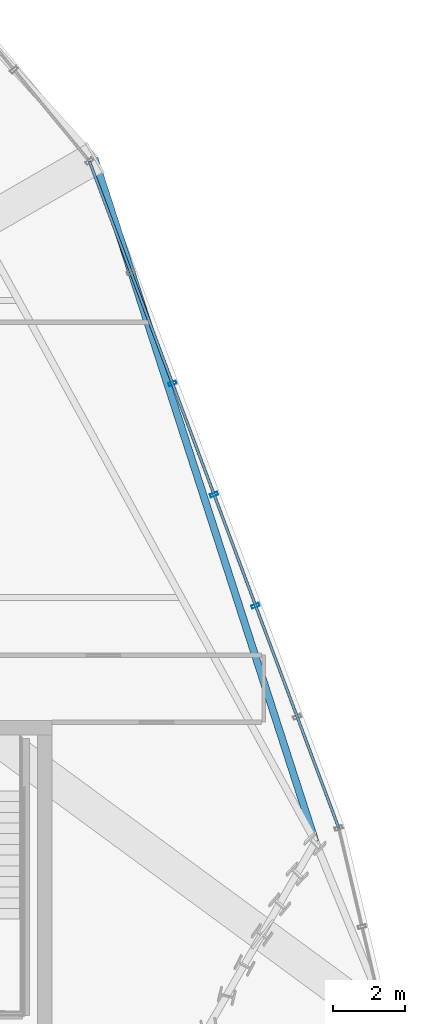
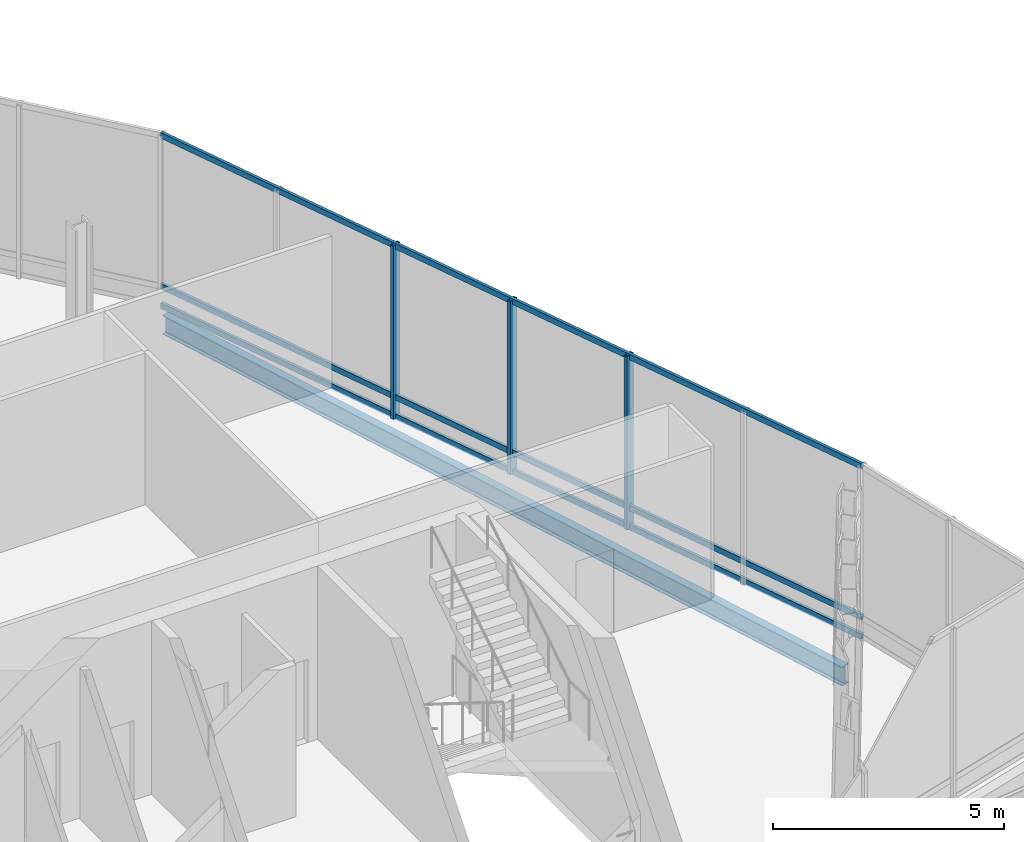
# One storey, part 13 of 28: 6 members, 1 beam, 1 element without a shape of its own.
"""IFC4 building model written with IfcOpenShell, lengths in metres."""

from ifc_helpers import new_model, si_unit, direction, frame, origin, origin_2d, place, context, subcontext, project, spatial, hollow_rectangle, i_section, extrude, material, layer, layer_set, material_profile, profile_set, type_object, element, aggregate, save


model = new_model("IFC4")

# Units and contexts
model_context = context("Model", 3, precision=1e-05, world=origin(), true_north=direction((0.0, 1.0)))
body_context = subcontext(model_context, "Body", "Model", "MODEL_VIEW")
ifc_project = project(units=[si_unit("LENGTHUNIT", "METRE"), si_unit("AREAUNIT", "SQUARE_METRE"), si_unit("VOLUMEUNIT", "CUBIC_METRE"), si_unit("PLANEANGLEUNIT", "RADIAN"), si_unit("MASSUNIT", "GRAM", prefix="KILO")], contexts=[model_context])

# Site, building, storey
site_placement = place(None, origin())
site = spatial("IfcSite", under=ifc_project, at=site_placement, CompositionType="ELEMENT")
building_placement = place(site_placement, origin())
building = spatial("IfcBuilding", under=site, at=building_placement, Name="Ndaravel Arena Tower", CompositionType="ELEMENT")
storey_placement = place(building_placement, frame((0.0, 0.0, 213.199951171875)))
storey = spatial("IfcBuildingStorey", under=building, at=storey_placement, Name="L51", CompositionType="ELEMENT", Elevation=213.199951171875)

# Beam
ifc_material_1 = material(Name="Steel S355", Category="steel")
ifc_material_profile_1 = material_profile(ifc_material_1, i_section(OverallWidth=0.199951171875, OverallDepth=0.5, WebThickness=0.01025390625, FlangeThickness=0.01611328125, FilletRadius=0.02099609375, at=origin_2d()), Name="IPE 500")
ifc_profile_set_1 = profile_set([ifc_material_profile_1], Name="Steel S355")
beam_type = type_object("IfcBeamType", Name="BM-SPAN-IPE500", PredefinedType="SPANDREL", material=ifc_profile_set_1)
beam_placement = place(storey_placement, frame((64.82861328125, 11.84814453125, -0.530029296875), z_axis=(-0.307548951698, 0.951532260257, 0.0), x_axis=(-0.951532260257, -0.307548951698, 0.0)))
element("IfcBeam", 1, at=beam_placement, inside=storey, type_object=beam_type, Name="L51 Star Facet Edge Beam SEA-4", PredefinedType="SPANDREL", context=body_context, shape_type="SweptSolid", body=[
    extrude(i_section(OverallWidth=0.199951171875, OverallDepth=0.5, WebThickness=0.01025390625, FlangeThickness=0.01611328125, FilletRadius=0.02099609375, at=origin_2d()), origin(), (0.0, 0.0, 1.0), 19.8369140625),
])

# Curtain wall, members
ifc_material_2 = material(Name="Aluminium", Category="aluminium")
ifc_layer = layer(ifc_material_2, 0.179931640625)
ifc_layer_set = layer_set([ifc_layer], Name="Aluminium")
curtain_wall_type = type_object("IfcCurtainWallType", Name="CW-SYS-04", PredefinedType="NOTDEFINED", material=ifc_layer_set)
curtain_wall_placement = place(storey_placement, origin())
curtain_wall = element("IfcCurtainWall", 2, at=curtain_wall_placement, inside=storey, type_object=curtain_wall_type, Name="L51 Faceted Crystal Curtain Wall CW-L51-E06", PredefinedType="NOTDEFINED")
ifc_material_3 = material(Name="Aluminium", Category="aluminium")
ifc_material_profile_2 = material_profile(ifc_material_3, hollow_rectangle(XDim=0.090087890625, YDim=0.219970703125, WallThickness=0.0048828125, at=origin_2d()), Name="CW MULLION 90x220x5")
ifc_profile_set_2 = profile_set([ifc_material_profile_2], Name="Aluminium")
member_type_1 = type_object("IfcMemberType", Name="MEM-CW-MUL220", PredefinedType="MULLION", material=ifc_profile_set_2)
member_1_placement = place(storey_placement, frame((63.1787109375, 18.364990234375, 0.0), z_axis=(0.0, 0.0, 1.0), x_axis=(-0.350272772461, 0.936647737878, 0.0)))
member_1 = element("IfcMember", 3, at=member_1_placement, type_object=member_type_1, Name="CW-L51-E06 Mullion 02", PredefinedType="MULLION", context=body_context, shape_type="SweptSolid", body=[
    extrude(hollow_rectangle(XDim=0.090087890625, YDim=0.219970703125, WallThickness=0.0048828125, at=origin_2d()), origin(), (0.0, 0.0, 1.0), 4.580078125),
])
member_2_placement = place(storey_placement, frame((62.031005859375, 21.434326171875, 0.0), z_axis=(0.0, 0.0, 1.0), x_axis=(-0.350272772461, 0.936647737878, 0.0)))
member_2 = element("IfcMember", 4, at=member_2_placement, type_object=member_type_1, Name="CW-L51-E06 Mullion 03", PredefinedType="MULLION", context=body_context, shape_type="SweptSolid", body=[
    extrude(hollow_rectangle(XDim=0.090087890625, YDim=0.219970703125, WallThickness=0.0048828125, at=origin_2d()), origin(), (0.0, 0.0, 1.0), 4.580078125),
])
member_3_placement = place(storey_placement, frame((60.883056640625, 24.50390625, 0.0), z_axis=(0.0, 0.0, 1.0), x_axis=(-0.350272772461, 0.936647737878, 0.0)))
member_3 = element("IfcMember", 5, at=member_3_placement, type_object=member_type_1, Name="CW-L51-E06 Mullion 04", PredefinedType="MULLION", context=body_context, shape_type="SweptSolid", body=[
    extrude(hollow_rectangle(XDim=0.090087890625, YDim=0.219970703125, WallThickness=0.0048828125, at=origin_2d()), origin(), (0.0, 0.0, 1.0), 4.580078125),
])
ifc_material_4 = material(Name="Aluminium", Category="aluminium")
ifc_material_profile_3 = material_profile(ifc_material_4, hollow_rectangle(XDim=0.074951171875, YDim=0.14990234375, WallThickness=0.00390625, at=origin_2d()), Name="CW TRANSOM 75x150x4")
ifc_profile_set_3 = profile_set([ifc_material_profile_3], Name="Aluminium")
member_type_2 = type_object("IfcMemberType", Name="MEM-CW-TRN150", PredefinedType="USERDEFINED", material=ifc_profile_set_3)
member_4_placement = place(storey_placement, frame((65.474609375, 12.22607421875, 0.0400390625), z_axis=(-0.350276917062, 0.936646187935, 0.0), x_axis=(-0.936646187935, -0.350276917062, 0.0)))
member_4 = element("IfcMember", 6, at=member_4_placement, type_object=member_type_2, Name="CW-L51-E06 Transom 01", ObjectType="TRANSOM", PredefinedType="USERDEFINED", context=body_context, shape_type="SweptSolid", body=[
    extrude(hollow_rectangle(XDim=0.074951171875, YDim=0.14990234375, WallThickness=0.00390625, at=origin_2d()), origin(), (0.0, 0.0, 1.0), 19.662109375),
])
member_5_placement = place(storey_placement, frame((65.474609375, 12.22607421875, 0.550048828125), z_axis=(-0.350276917062, 0.936646187935, 0.0), x_axis=(-0.936646187935, -0.350276917062, 0.0)))
member_5 = element("IfcMember", 7, at=member_5_placement, type_object=member_type_2, Name="CW-L51-E06 Transom 02", ObjectType="TRANSOM", PredefinedType="USERDEFINED", context=body_context, shape_type="SweptSolid", body=[
    extrude(hollow_rectangle(XDim=0.074951171875, YDim=0.14990234375, WallThickness=0.00390625, at=origin_2d()), origin(), (0.0, 0.0, 1.0), 19.662109375),
])
member_6_placement = place(storey_placement, frame((65.474609375, 12.22607421875, 4.5400390625), z_axis=(-0.350276917062, 0.936646187935, 0.0), x_axis=(-0.936646187935, -0.350276917062, 0.0)))
member_6 = element("IfcMember", 8, at=member_6_placement, type_object=member_type_2, Name="CW-L51-E06 Transom 03", ObjectType="TRANSOM", PredefinedType="USERDEFINED", context=body_context, shape_type="SweptSolid", body=[
    extrude(hollow_rectangle(XDim=0.074951171875, YDim=0.14990234375, WallThickness=0.00390625, at=origin_2d()), origin(), (0.0, 0.0, 1.0), 19.662109375),
])
aggregate(curtain_wall, [member_1, member_2, member_3, member_4, member_5, member_6])

save(model, "model.ifc")
